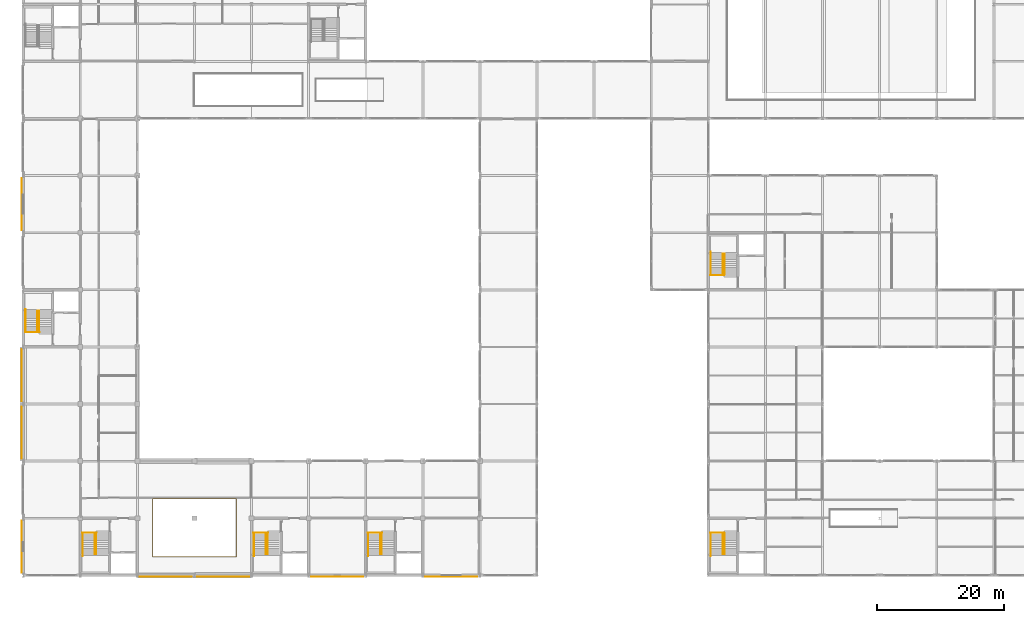
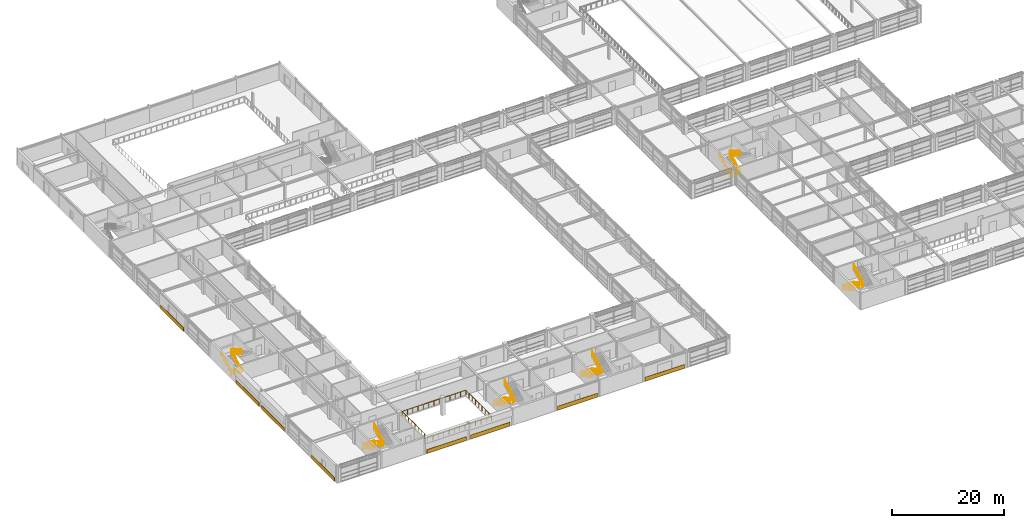
# One storey, part 77 of 79: 19 railings, 8 coverings.
"""IFC4 building model written with IfcOpenShell, lengths in metres."""

from ifc_helpers import new_model, si_unit, direction, frame, origin, origin_2d, place, context, subcontext, project, spatial, rectangle, circle, extrude, material, layer, layer_set, type_object, element, save


model = new_model("IFC4")

# Units and contexts
model_context = context("Model", 3, precision=1e-05, world=origin(), true_north=direction((0.0, 1.0)))
body_context = subcontext(model_context, "Body", "Model", "MODEL_VIEW")
ifc_project = project(units=[si_unit("LENGTHUNIT", "METRE"), si_unit("AREAUNIT", "SQUARE_METRE"), si_unit("VOLUMEUNIT", "CUBIC_METRE"), si_unit("PLANEANGLEUNIT", "RADIAN"), si_unit("MASSUNIT", "GRAM", prefix="KILO")], contexts=[model_context])

# Site, building, storey
site_placement = place(None, origin())
site = spatial("IfcSite", under=ifc_project, at=site_placement, CompositionType="ELEMENT")
building_placement = place(site_placement, origin())
building = spatial("IfcBuilding", under=site, at=building_placement, Name="Palais des Congres Ocreval", CompositionType="ELEMENT")
storey_placement = place(building_placement, frame((0.0, 0.0, 4.320068359375)))
storey = spatial("IfcBuildingStorey", under=building, at=storey_placement, Name="L01", CompositionType="ELEMENT", Elevation=4.320068359375)

# Railings
ifc_material_1 = material(Name="Anodized bronze aluminium", Category="aluminium")
railing_type_1 = type_object("IfcRailingType", Name="Bronze Stair and Ramp Handrail 900", PredefinedType="HANDRAIL", material=ifc_material_1)
for number, where, name in (
    (1, (9.3798828125, 6.64990234375, 0.159912109375), "Stair Wall Handrail ST01 L01"),
    (2, (36.3798828125, 6.64990234375, 0.159912109375), "Stair Wall Handrail ST02 L01"),
):
    element("IfcRailing", number, at=place(storey_placement, frame(where)), inside=storey, type_object=railing_type_1, Name=name, PredefinedType="HANDRAIL", context=body_context, shape_type="SweptSolid", body=[
        extrude(circle(Radius=0.02392578125, at=origin_2d()), frame((0.0, 0.0, 0.8759765625), z_axis=(0.0, -0.882352941176, 0.470588235294), x_axis=(1.0, 0.0, 0.0)), (0.0, 0.0, 1.0), 4.079833984375),
        extrude(circle(Radius=0.02099609375, at=origin_2d()), origin(), (0.0, 0.0, 1.0), 0.851806640625),
        extrude(circle(Radius=0.02099609375, at=origin_2d()), frame((0.0, -0.89990234375, 0.47998046875)), (0.0, 0.0, 1.0), 0.851806640625),
        extrude(circle(Radius=0.02099609375, at=origin_2d()), frame((0.0, -1.7998046875, 0.9599609375)), (0.0, 0.0, 1.0), 0.851806640625),
        extrude(circle(Radius=0.02099609375, at=origin_2d()), frame((0.0, -2.699951171875, 1.43994140625)), (0.0, 0.0, 1.0), 0.851806640625),
        extrude(circle(Radius=0.02099609375, at=origin_2d()), frame((0.0, -3.599853515625, 1.919921875)), (0.0, 0.0, 1.0), 0.851806640625),
    ])
railing_1_placement = place(storey_placement, frame((0.3798828125, 38.35009765625, 0.159912109375)))
element("IfcRailing", 3, at=railing_1_placement, inside=storey, type_object=railing_type_1, Name="Stair Wall Handrail ST03 L01", PredefinedType="HANDRAIL", context=body_context, shape_type="SweptSolid", body=[
    extrude(circle(Radius=0.02392578125, at=origin_2d()), frame((0.0, 0.0, 0.8759765625), z_axis=(0.0, 0.882352941176, 0.470588235294), x_axis=(-1.0, 0.0, 0.0)), (0.0, 0.0, 1.0), 4.079833984375),
    extrude(circle(Radius=0.02099609375, at=origin_2d()), origin(), (0.0, 0.0, 1.0), 0.851806640625),
    extrude(circle(Radius=0.02099609375, at=origin_2d()), frame((0.0, 0.89990234375, 0.47998046875)), (0.0, 0.0, 1.0), 0.851806640625),
    extrude(circle(Radius=0.02099609375, at=origin_2d()), frame((0.0, 1.7998046875, 0.9599609375)), (0.0, 0.0, 1.0), 0.851806640625),
    extrude(circle(Radius=0.02099609375, at=origin_2d()), frame((0.0, 2.699951171875, 1.43994140625)), (0.0, 0.0, 1.0), 0.851806640625),
    extrude(circle(Radius=0.02099609375, at=origin_2d()), frame((0.0, 3.599853515625, 1.919921875)), (0.0, 0.0, 1.0), 0.851806640625),
])
for number, where, name in (
    (4, (54.3798828125, 6.64990234375, 0.159912109375), "Stair Wall Handrail ST04 L01"),
    (5, (108.3798828125, 6.64990234375, 0.159912109375), "Stair Wall Handrail ST09 L01"),
):
    element("IfcRailing", number, at=place(storey_placement, frame(where)), inside=storey, type_object=railing_type_1, Name=name, PredefinedType="HANDRAIL", context=body_context, shape_type="SweptSolid", body=[
        extrude(circle(Radius=0.02392578125, at=origin_2d()), frame((0.0, 0.0, 0.8759765625), z_axis=(0.0, -0.882352941176, 0.470588235294), x_axis=(1.0, 0.0, 0.0)), (0.0, 0.0, 1.0), 4.079833984375),
        extrude(circle(Radius=0.02099609375, at=origin_2d()), origin(), (0.0, 0.0, 1.0), 0.851806640625),
        extrude(circle(Radius=0.02099609375, at=origin_2d()), frame((0.0, -0.89990234375, 0.47998046875)), (0.0, 0.0, 1.0), 0.851806640625),
        extrude(circle(Radius=0.02099609375, at=origin_2d()), frame((0.0, -1.7998046875, 0.9599609375)), (0.0, 0.0, 1.0), 0.851806640625),
        extrude(circle(Radius=0.02099609375, at=origin_2d()), frame((0.0, -2.699951171875, 1.43994140625)), (0.0, 0.0, 1.0), 0.851806640625),
        extrude(circle(Radius=0.02099609375, at=origin_2d()), frame((0.0, -3.599853515625, 1.919921875)), (0.0, 0.0, 1.0), 0.851806640625),
    ])
railing_2_placement = place(storey_placement, frame((108.3798828125, 47.35009765625, 0.159912109375)))
element("IfcRailing", 6, at=railing_2_placement, inside=storey, type_object=railing_type_1, Name="Stair Wall Handrail ST10 L01", PredefinedType="HANDRAIL", context=body_context, shape_type="SweptSolid", body=[
    extrude(circle(Radius=0.02392578125, at=origin_2d()), frame((0.0, 0.0, 0.8759765625), z_axis=(0.0, 0.882352941176, 0.470588235294), x_axis=(-1.0, 0.0, 0.0)), (0.0, 0.0, 1.0), 4.079833984375),
    extrude(circle(Radius=0.02099609375, at=origin_2d()), origin(), (0.0, 0.0, 1.0), 0.851806640625),
    extrude(circle(Radius=0.02099609375, at=origin_2d()), frame((0.0, 0.89990234375, 0.47998046875)), (0.0, 0.0, 1.0), 0.851806640625),
    extrude(circle(Radius=0.02099609375, at=origin_2d()), frame((0.0, 1.7998046875, 0.9599609375)), (0.0, 0.0, 1.0), 0.851806640625),
    extrude(circle(Radius=0.02099609375, at=origin_2d()), frame((0.0, 2.699951171875, 1.43994140625)), (0.0, 0.0, 1.0), 0.851806640625),
    extrude(circle(Radius=0.02099609375, at=origin_2d()), frame((0.0, 3.599853515625, 1.919921875)), (0.0, 0.0, 1.0), 0.851806640625),
])

# Coverings
ifc_material_2 = material(Name="Saint-Maximin Lutetian limestone ashlar", Category="masonry")
ifc_layer = layer(ifc_material_2, 0.050048828125)
ifc_layer_set = layer_set([ifc_layer], Name="Saint-Maximin Limestone Facade Cladding 50 (Saint-Maximin Lutetian limestone ashlar)")
covering_type = type_object("IfcCoveringType", Name="Saint-Maximin Limestone Facade Cladding 50", PredefinedType="CLADDING", material=ifc_layer_set)
for number, where, z_axis, x_axis, name in (
    (7, (67.5, -0.215087890625, 0.02490234375), (0.0, 0.0, 1.0), (-1.0, 0.0, 0.0), "Lutetian Limestone Plinth Cladding CV02"),
    (8, (49.5, -0.215087890625, 0.02490234375), (0.0, 0.0, 1.0), (-1.0, 0.0, 0.0), "Lutetian Limestone Plinth Cladding CV02"),
    (9, (31.5, -0.215087890625, 0.02490234375), (0.0, 0.0, 1.0), (-1.0, 0.0, 0.0), "Lutetian Limestone Plinth Cladding CV02"),
    (10, (22.5, -0.215087890625, 0.02490234375), (0.0, 0.0, 1.0), (-1.0, 0.0, 0.0), "Lutetian Limestone Plinth Cladding CV02"),
    (11, (-0.215087890625, 4.5, 0.02490234375), (0.0, 0.0, 1.0), (0.0, 1.0, 0.0), "Lutetian Limestone Plinth Cladding CV02"),
    (12, (-0.215087890625, 22.5, 0.02490234375), (0.0, 0.0, 1.0), (0.0, 1.0, 0.0), "Lutetian Limestone Plinth Cladding CV02"),
    (13, (-0.215087890625, 31.5, 0.02490234375), (0.0, 0.0, 1.0), (0.0, 1.0, 0.0), "Lutetian Limestone Plinth Cladding CV02"),
    (14, (-0.215087890625, 58.5, 0.02490234375), (0.0, 0.0, 1.0), (0.0, 1.0, 0.0), "Lutetian Limestone Plinth Cladding CV02"),
):
    element("IfcCovering", number, at=place(storey_placement, frame(where, z_axis=z_axis, x_axis=x_axis)), inside=storey, type_object=covering_type, Name=name, PredefinedType="CLADDING", context=body_context, shape_type="SweptSolid", body=[
        extrude(rectangle(XDim=8.199951171875, YDim=0.050048828125, at=origin_2d()), origin(), (0.0, 0.0, 1.0), 0.85009765625),
    ])

# Railings
ifc_material_3 = material(Name="Steel S355", Category="steel")
railing_type_2 = type_object("IfcRailingType", Name="Stairwell Steel Guardrail 1100", PredefinedType="GUARDRAIL", material=ifc_material_3)
railing_3_placement = place(storey_placement, frame((9.320068359375, 6.699951171875, 0.0)))
element("IfcRailing", 15, at=railing_3_placement, inside=storey, type_object=railing_type_2, Name="Stairwell Landing Edge Guard ST01 L01", PredefinedType="GUARDRAIL", context=body_context, shape_type="SweptSolid", body=[
    extrude(circle(Radius=0.02392578125, at=origin_2d()), frame((0.0, 0.0, 1.076171875), z_axis=(1.0, 0.0, 0.0), x_axis=(0.0, 1.0, 0.0)), (0.0, 0.0, 1.0), 2.25),
    extrude(circle(Radius=0.02099609375, at=origin_2d()), origin(), (0.0, 0.0, 1.0), 1.052001953125),
    extrude(circle(Radius=0.02099609375, at=origin_2d()), frame((0.75, 0.0, 0.0)), (0.0, 0.0, 1.0), 1.052001953125),
    extrude(circle(Radius=0.02099609375, at=origin_2d()), frame((1.5, 0.0, 0.0)), (0.0, 0.0, 1.0), 1.052001953125),
    extrude(circle(Radius=0.02099609375, at=origin_2d()), frame((2.25, 0.0, 0.0)), (0.0, 0.0, 1.0), 1.052001953125),
])
railing_4_placement = place(storey_placement, frame((11.280029296875, 6.64990234375, 0.0)))
element("IfcRailing", 16, at=railing_4_placement, inside=storey, type_object=railing_type_2, Name="Stair Inner Guardrail ST01 L01", PredefinedType="GUARDRAIL", context=body_context, shape_type="SweptSolid", body=[
    extrude(circle(Radius=0.02392578125, at=origin_2d()), frame((0.0, 0.0, 1.076171875), z_axis=(0.0, -0.86434429443, 0.502900527626), x_axis=(1.0, 0.0, 0.0)), (0.0, 0.0, 1.0), 3.817626953125),
    extrude(circle(Radius=0.02392578125, at=origin_2d()), frame((0.0, -3.2998046875, 2.99609375), z_axis=(1.0, 0.0, 0.0), x_axis=(0.0, 1.0, 0.0)), (0.0, 0.0, 1.0), 0.239990234375),
    extrude(circle(Radius=0.02392578125, at=origin_2d()), frame((0.239990234375, -3.2998046875, 2.99609375), z_axis=(0.0, 0.86434429443, 0.502900527626), x_axis=(-1.0, 0.0, 0.0)), (0.0, 0.0, 1.0), 3.817626953125),
    extrude(circle(Radius=0.02099609375, at=origin_2d()), origin(), (0.0, 0.0, 1.0), 1.052001953125),
    extrude(circle(Radius=0.02099609375, at=origin_2d()), frame((0.0, -0.824951171875, 0.47998046875)), (0.0, 0.0, 1.0), 1.052001953125),
    extrude(circle(Radius=0.02099609375, at=origin_2d()), frame((0.0, -1.64990234375, 0.9599609375)), (0.0, 0.0, 1.0), 1.052001953125),
    extrude(circle(Radius=0.02099609375, at=origin_2d()), frame((0.0, -2.474853515625, 1.43994140625)), (0.0, 0.0, 1.0), 1.052001953125),
    extrude(circle(Radius=0.02099609375, at=origin_2d()), frame((0.0, -3.2998046875, 1.919921875)), (0.0, 0.0, 1.0), 1.052001953125),
    extrude(circle(Radius=0.02099609375, at=origin_2d()), frame((0.239990234375, -3.2998046875, 1.919921875)), (0.0, 0.0, 1.0), 1.052001953125),
    extrude(circle(Radius=0.02099609375, at=origin_2d()), frame((0.239990234375, -2.474853515625, 2.39990234375)), (0.0, 0.0, 1.0), 1.052001953125),
    extrude(circle(Radius=0.02099609375, at=origin_2d()), frame((0.239990234375, -1.64990234375, 2.8798828125)), (0.0, 0.0, 1.0), 1.052001953125),
    extrude(circle(Radius=0.02099609375, at=origin_2d()), frame((0.239990234375, -0.824951171875, 3.35986328125)), (0.0, 0.0, 1.0), 1.052001953125),
    extrude(circle(Radius=0.02099609375, at=origin_2d()), frame((0.239990234375, 0.0, 3.83984375)), (0.0, 0.0, 1.0), 1.052001953125),
])
railing_5_placement = place(storey_placement, frame((36.320068359375, 6.699951171875, 0.0)))
element("IfcRailing", 17, at=railing_5_placement, inside=storey, type_object=railing_type_2, Name="Stairwell Landing Edge Guard ST02 L01", PredefinedType="GUARDRAIL", context=body_context, shape_type="SweptSolid", body=[
    extrude(circle(Radius=0.02392578125, at=origin_2d()), frame((0.0, 0.0, 1.076171875), z_axis=(1.0, 0.0, 0.0), x_axis=(0.0, 1.0, 0.0)), (0.0, 0.0, 1.0), 2.25),
    extrude(circle(Radius=0.02099609375, at=origin_2d()), origin(), (0.0, 0.0, 1.0), 1.052001953125),
    extrude(circle(Radius=0.02099609375, at=origin_2d()), frame((0.75, 0.0, 0.0)), (0.0, 0.0, 1.0), 1.052001953125),
    extrude(circle(Radius=0.02099609375, at=origin_2d()), frame((1.5, 0.0, 0.0)), (0.0, 0.0, 1.0), 1.052001953125),
    extrude(circle(Radius=0.02099609375, at=origin_2d()), frame((2.25, 0.0, 0.0)), (0.0, 0.0, 1.0), 1.052001953125),
])
railing_6_placement = place(storey_placement, frame((38.280029296875, 6.64990234375, 0.0)))
element("IfcRailing", 18, at=railing_6_placement, inside=storey, type_object=railing_type_2, Name="Stair Inner Guardrail ST02 L01", PredefinedType="GUARDRAIL", context=body_context, shape_type="SweptSolid", body=[
    extrude(circle(Radius=0.02392578125, at=origin_2d()), frame((0.0, 0.0, 1.076171875), z_axis=(0.0, -0.86434429443, 0.502900527626), x_axis=(1.0, 0.0, 0.0)), (0.0, 0.0, 1.0), 3.817626953125),
    extrude(circle(Radius=0.02392578125, at=origin_2d()), frame((0.0, -3.2998046875, 2.99609375), z_axis=(1.0, 0.0, 0.0), x_axis=(0.0, 1.0, 0.0)), (0.0, 0.0, 1.0), 0.239990234375),
    extrude(circle(Radius=0.02392578125, at=origin_2d()), frame((0.239990234375, -3.2998046875, 2.99609375), z_axis=(0.0, 0.86434429443, 0.502900527626), x_axis=(-1.0, 0.0, 0.0)), (0.0, 0.0, 1.0), 3.817626953125),
    extrude(circle(Radius=0.02099609375, at=origin_2d()), origin(), (0.0, 0.0, 1.0), 1.052001953125),
    extrude(circle(Radius=0.02099609375, at=origin_2d()), frame((0.0, -0.824951171875, 0.47998046875)), (0.0, 0.0, 1.0), 1.052001953125),
    extrude(circle(Radius=0.02099609375, at=origin_2d()), frame((0.0, -1.64990234375, 0.9599609375)), (0.0, 0.0, 1.0), 1.052001953125),
    extrude(circle(Radius=0.02099609375, at=origin_2d()), frame((0.0, -2.474853515625, 1.43994140625)), (0.0, 0.0, 1.0), 1.052001953125),
    extrude(circle(Radius=0.02099609375, at=origin_2d()), frame((0.0, -3.2998046875, 1.919921875)), (0.0, 0.0, 1.0), 1.052001953125),
    extrude(circle(Radius=0.02099609375, at=origin_2d()), frame((0.239990234375, -3.2998046875, 1.919921875)), (0.0, 0.0, 1.0), 1.052001953125),
    extrude(circle(Radius=0.02099609375, at=origin_2d()), frame((0.239990234375, -2.474853515625, 2.39990234375)), (0.0, 0.0, 1.0), 1.052001953125),
    extrude(circle(Radius=0.02099609375, at=origin_2d()), frame((0.239990234375, -1.64990234375, 2.8798828125)), (0.0, 0.0, 1.0), 1.052001953125),
    extrude(circle(Radius=0.02099609375, at=origin_2d()), frame((0.239990234375, -0.824951171875, 3.35986328125)), (0.0, 0.0, 1.0), 1.052001953125),
    extrude(circle(Radius=0.02099609375, at=origin_2d()), frame((0.239990234375, 0.0, 3.83984375)), (0.0, 0.0, 1.0), 1.052001953125),
])
railing_7_placement = place(storey_placement, frame((0.320068359375, 38.300048828125, 0.0)))
element("IfcRailing", 19, at=railing_7_placement, inside=storey, type_object=railing_type_2, Name="Stairwell Landing Edge Guard ST03 L01", PredefinedType="GUARDRAIL", context=body_context, shape_type="SweptSolid", body=[
    extrude(circle(Radius=0.02392578125, at=origin_2d()), frame((0.0, 0.0, 1.076171875), z_axis=(1.0, 0.0, 0.0), x_axis=(0.0, 1.0, 0.0)), (0.0, 0.0, 1.0), 2.25),
    extrude(circle(Radius=0.02099609375, at=origin_2d()), origin(), (0.0, 0.0, 1.0), 1.052001953125),
    extrude(circle(Radius=0.02099609375, at=origin_2d()), frame((0.75, 0.0, 0.0)), (0.0, 0.0, 1.0), 1.052001953125),
    extrude(circle(Radius=0.02099609375, at=origin_2d()), frame((1.5, 0.0, 0.0)), (0.0, 0.0, 1.0), 1.052001953125),
    extrude(circle(Radius=0.02099609375, at=origin_2d()), frame((2.25, 0.0, 0.0)), (0.0, 0.0, 1.0), 1.052001953125),
])
railing_8_placement = place(storey_placement, frame((2.280029296875, 38.35009765625, 0.0)))
element("IfcRailing", 20, at=railing_8_placement, inside=storey, type_object=railing_type_2, Name="Stair Inner Guardrail ST03 L01", PredefinedType="GUARDRAIL", context=body_context, shape_type="SweptSolid", body=[
    extrude(circle(Radius=0.02392578125, at=origin_2d()), frame((0.0, 0.0, 1.076171875), z_axis=(0.0, 0.86434429443, 0.502900527626), x_axis=(-1.0, 0.0, 0.0)), (0.0, 0.0, 1.0), 3.817626953125),
    extrude(circle(Radius=0.02392578125, at=origin_2d()), frame((0.0, 3.2998046875, 2.99609375), z_axis=(1.0, 0.0, 0.0), x_axis=(0.0, 1.0, 0.0)), (0.0, 0.0, 1.0), 0.239990234375),
    extrude(circle(Radius=0.02392578125, at=origin_2d()), frame((0.239990234375, 3.2998046875, 2.99609375), z_axis=(0.0, -0.86434429443, 0.502900527626), x_axis=(1.0, 0.0, 0.0)), (0.0, 0.0, 1.0), 3.817626953125),
    extrude(circle(Radius=0.02099609375, at=origin_2d()), origin(), (0.0, 0.0, 1.0), 1.052001953125),
    extrude(circle(Radius=0.02099609375, at=origin_2d()), frame((0.0, 0.824951171875, 0.47998046875)), (0.0, 0.0, 1.0), 1.052001953125),
    extrude(circle(Radius=0.02099609375, at=origin_2d()), frame((0.0, 1.64990234375, 0.9599609375)), (0.0, 0.0, 1.0), 1.052001953125),
    extrude(circle(Radius=0.02099609375, at=origin_2d()), frame((0.0, 2.474853515625, 1.43994140625)), (0.0, 0.0, 1.0), 1.052001953125),
    extrude(circle(Radius=0.02099609375, at=origin_2d()), frame((0.0, 3.2998046875, 1.919921875)), (0.0, 0.0, 1.0), 1.052001953125),
    extrude(circle(Radius=0.02099609375, at=origin_2d()), frame((0.239990234375, 3.2998046875, 1.919921875)), (0.0, 0.0, 1.0), 1.052001953125),
    extrude(circle(Radius=0.02099609375, at=origin_2d()), frame((0.239990234375, 2.474853515625, 2.39990234375)), (0.0, 0.0, 1.0), 1.052001953125),
    extrude(circle(Radius=0.02099609375, at=origin_2d()), frame((0.239990234375, 1.64990234375, 2.8798828125)), (0.0, 0.0, 1.0), 1.052001953125),
    extrude(circle(Radius=0.02099609375, at=origin_2d()), frame((0.239990234375, 0.824951171875, 3.35986328125)), (0.0, 0.0, 1.0), 1.052001953125),
    extrude(circle(Radius=0.02099609375, at=origin_2d()), frame((0.239990234375, 0.0, 3.83984375)), (0.0, 0.0, 1.0), 1.052001953125),
])
railing_9_placement = place(storey_placement, frame((54.320068359375, 6.699951171875, 0.0)))
element("IfcRailing", 21, at=railing_9_placement, inside=storey, type_object=railing_type_2, Name="Stairwell Landing Edge Guard ST04 L01", PredefinedType="GUARDRAIL", context=body_context, shape_type="SweptSolid", body=[
    extrude(circle(Radius=0.02392578125, at=origin_2d()), frame((0.0, 0.0, 1.076171875), z_axis=(1.0, 0.0, 0.0), x_axis=(0.0, 1.0, 0.0)), (0.0, 0.0, 1.0), 2.25),
    extrude(circle(Radius=0.02099609375, at=origin_2d()), origin(), (0.0, 0.0, 1.0), 1.052001953125),
    extrude(circle(Radius=0.02099609375, at=origin_2d()), frame((0.75, 0.0, 0.0)), (0.0, 0.0, 1.0), 1.052001953125),
    extrude(circle(Radius=0.02099609375, at=origin_2d()), frame((1.5, 0.0, 0.0)), (0.0, 0.0, 1.0), 1.052001953125),
    extrude(circle(Radius=0.02099609375, at=origin_2d()), frame((2.25, 0.0, 0.0)), (0.0, 0.0, 1.0), 1.052001953125),
])
railing_10_placement = place(storey_placement, frame((56.280029296875, 6.64990234375, 0.0)))
element("IfcRailing", 22, at=railing_10_placement, inside=storey, type_object=railing_type_2, Name="Stair Inner Guardrail ST04 L01", PredefinedType="GUARDRAIL", context=body_context, shape_type="SweptSolid", body=[
    extrude(circle(Radius=0.02392578125, at=origin_2d()), frame((0.0, 0.0, 1.076171875), z_axis=(0.0, -0.86434429443, 0.502900527626), x_axis=(1.0, 0.0, 0.0)), (0.0, 0.0, 1.0), 3.817626953125),
    extrude(circle(Radius=0.02392578125, at=origin_2d()), frame((0.0, -3.2998046875, 2.99609375), z_axis=(1.0, 0.0, 0.0), x_axis=(0.0, 1.0, 0.0)), (0.0, 0.0, 1.0), 0.239990234375),
    extrude(circle(Radius=0.02392578125, at=origin_2d()), frame((0.239990234375, -3.2998046875, 2.99609375), z_axis=(0.0, 0.86434429443, 0.502900527626), x_axis=(-1.0, 0.0, 0.0)), (0.0, 0.0, 1.0), 3.817626953125),
    extrude(circle(Radius=0.02099609375, at=origin_2d()), origin(), (0.0, 0.0, 1.0), 1.052001953125),
    extrude(circle(Radius=0.02099609375, at=origin_2d()), frame((0.0, -0.824951171875, 0.47998046875)), (0.0, 0.0, 1.0), 1.052001953125),
    extrude(circle(Radius=0.02099609375, at=origin_2d()), frame((0.0, -1.64990234375, 0.9599609375)), (0.0, 0.0, 1.0), 1.052001953125),
    extrude(circle(Radius=0.02099609375, at=origin_2d()), frame((0.0, -2.474853515625, 1.43994140625)), (0.0, 0.0, 1.0), 1.052001953125),
    extrude(circle(Radius=0.02099609375, at=origin_2d()), frame((0.0, -3.2998046875, 1.919921875)), (0.0, 0.0, 1.0), 1.052001953125),
    extrude(circle(Radius=0.02099609375, at=origin_2d()), frame((0.239990234375, -3.2998046875, 1.919921875)), (0.0, 0.0, 1.0), 1.052001953125),
    extrude(circle(Radius=0.02099609375, at=origin_2d()), frame((0.239990234375, -2.474853515625, 2.39990234375)), (0.0, 0.0, 1.0), 1.052001953125),
    extrude(circle(Radius=0.02099609375, at=origin_2d()), frame((0.239990234375, -1.64990234375, 2.8798828125)), (0.0, 0.0, 1.0), 1.052001953125),
    extrude(circle(Radius=0.02099609375, at=origin_2d()), frame((0.239990234375, -0.824951171875, 3.35986328125)), (0.0, 0.0, 1.0), 1.052001953125),
    extrude(circle(Radius=0.02099609375, at=origin_2d()), frame((0.239990234375, 0.0, 3.83984375)), (0.0, 0.0, 1.0), 1.052001953125),
])
railing_11_placement = place(storey_placement, frame((108.320068359375, 6.699951171875, 0.0)))
element("IfcRailing", 23, at=railing_11_placement, inside=storey, type_object=railing_type_2, Name="Stairwell Landing Edge Guard ST09 L01", PredefinedType="GUARDRAIL", context=body_context, shape_type="SweptSolid", body=[
    extrude(circle(Radius=0.02392578125, at=origin_2d()), frame((0.0, 0.0, 1.076171875), z_axis=(1.0, 0.0, 0.0), x_axis=(0.0, 1.0, 0.0)), (0.0, 0.0, 1.0), 2.199951171875),
    extrude(circle(Radius=0.02099609375, at=origin_2d()), origin(), (0.0, 0.0, 1.0), 1.052001953125),
    extrude(circle(Radius=0.02099609375, at=origin_2d()), frame((0.7333984375, 0.0, 0.0)), (0.0, 0.0, 1.0), 1.052001953125),
    extrude(circle(Radius=0.02099609375, at=origin_2d()), frame((1.466552734375, 0.0, 0.0)), (0.0, 0.0, 1.0), 1.052001953125),
    extrude(circle(Radius=0.02099609375, at=origin_2d()), frame((2.199951171875, 0.0, 0.0)), (0.0, 0.0, 1.0), 1.052001953125),
])
railing_12_placement = place(storey_placement, frame((110.280029296875, 6.64990234375, 0.0)))
element("IfcRailing", 24, at=railing_12_placement, inside=storey, type_object=railing_type_2, Name="Stair Inner Guardrail ST09 L01", PredefinedType="GUARDRAIL", context=body_context, shape_type="SweptSolid", body=[
    extrude(circle(Radius=0.02392578125, at=origin_2d()), frame((0.0, 0.0, 1.076171875), z_axis=(0.0, -0.86434429443, 0.502900527626), x_axis=(1.0, 0.0, 0.0)), (0.0, 0.0, 1.0), 3.817626953125),
    extrude(circle(Radius=0.02392578125, at=origin_2d()), frame((0.0, -3.2998046875, 2.99609375), z_axis=(1.0, 0.0, 0.0), x_axis=(0.0, 1.0, 0.0)), (0.0, 0.0, 1.0), 0.239990234375),
    extrude(circle(Radius=0.02392578125, at=origin_2d()), frame((0.239990234375, -3.2998046875, 2.99609375), z_axis=(0.0, 0.86434429443, 0.502900527626), x_axis=(-1.0, 0.0, 0.0)), (0.0, 0.0, 1.0), 3.817626953125),
    extrude(circle(Radius=0.02099609375, at=origin_2d()), origin(), (0.0, 0.0, 1.0), 1.052001953125),
    extrude(circle(Radius=0.02099609375, at=origin_2d()), frame((0.0, -0.824951171875, 0.47998046875)), (0.0, 0.0, 1.0), 1.052001953125),
    extrude(circle(Radius=0.02099609375, at=origin_2d()), frame((0.0, -1.64990234375, 0.9599609375)), (0.0, 0.0, 1.0), 1.052001953125),
    extrude(circle(Radius=0.02099609375, at=origin_2d()), frame((0.0, -2.474853515625, 1.43994140625)), (0.0, 0.0, 1.0), 1.052001953125),
    extrude(circle(Radius=0.02099609375, at=origin_2d()), frame((0.0, -3.2998046875, 1.919921875)), (0.0, 0.0, 1.0), 1.052001953125),
    extrude(circle(Radius=0.02099609375, at=origin_2d()), frame((0.239990234375, -3.2998046875, 1.919921875)), (0.0, 0.0, 1.0), 1.052001953125),
    extrude(circle(Radius=0.02099609375, at=origin_2d()), frame((0.239990234375, -2.474853515625, 2.39990234375)), (0.0, 0.0, 1.0), 1.052001953125),
    extrude(circle(Radius=0.02099609375, at=origin_2d()), frame((0.239990234375, -1.64990234375, 2.8798828125)), (0.0, 0.0, 1.0), 1.052001953125),
    extrude(circle(Radius=0.02099609375, at=origin_2d()), frame((0.239990234375, -0.824951171875, 3.35986328125)), (0.0, 0.0, 1.0), 1.052001953125),
    extrude(circle(Radius=0.02099609375, at=origin_2d()), frame((0.239990234375, 0.0, 3.83984375)), (0.0, 0.0, 1.0), 1.052001953125),
])
railing_13_placement = place(storey_placement, frame((108.320068359375, 47.300048828125, 0.0)))
element("IfcRailing", 25, at=railing_13_placement, inside=storey, type_object=railing_type_2, Name="Stairwell Landing Edge Guard ST10 L01", PredefinedType="GUARDRAIL", context=body_context, shape_type="SweptSolid", body=[
    extrude(circle(Radius=0.02392578125, at=origin_2d()), frame((0.0, 0.0, 1.076171875), z_axis=(1.0, 0.0, 0.0), x_axis=(0.0, 1.0, 0.0)), (0.0, 0.0, 1.0), 2.199951171875),
    extrude(circle(Radius=0.02099609375, at=origin_2d()), origin(), (0.0, 0.0, 1.0), 1.052001953125),
    extrude(circle(Radius=0.02099609375, at=origin_2d()), frame((0.7333984375, 0.0, 0.0)), (0.0, 0.0, 1.0), 1.052001953125),
    extrude(circle(Radius=0.02099609375, at=origin_2d()), frame((1.466552734375, 0.0, 0.0)), (0.0, 0.0, 1.0), 1.052001953125),
    extrude(circle(Radius=0.02099609375, at=origin_2d()), frame((2.199951171875, 0.0, 0.0)), (0.0, 0.0, 1.0), 1.052001953125),
])
railing_14_placement = place(storey_placement, frame((110.280029296875, 47.35009765625, 0.0)))
element("IfcRailing", 26, at=railing_14_placement, inside=storey, type_object=railing_type_2, Name="Stair Inner Guardrail ST10 L01", PredefinedType="GUARDRAIL", context=body_context, shape_type="SweptSolid", body=[
    extrude(circle(Radius=0.02392578125, at=origin_2d()), frame((0.0, 0.0, 1.076171875), z_axis=(0.0, 0.86434429443, 0.502900527626), x_axis=(-1.0, 0.0, 0.0)), (0.0, 0.0, 1.0), 3.817626953125),
    extrude(circle(Radius=0.02392578125, at=origin_2d()), frame((0.0, 3.2998046875, 2.99609375), z_axis=(1.0, 0.0, 0.0), x_axis=(0.0, 1.0, 0.0)), (0.0, 0.0, 1.0), 0.239990234375),
    extrude(circle(Radius=0.02392578125, at=origin_2d()), frame((0.239990234375, 3.2998046875, 2.99609375), z_axis=(0.0, -0.86434429443, 0.502900527626), x_axis=(1.0, 0.0, 0.0)), (0.0, 0.0, 1.0), 3.817626953125),
    extrude(circle(Radius=0.02099609375, at=origin_2d()), origin(), (0.0, 0.0, 1.0), 1.052001953125),
    extrude(circle(Radius=0.02099609375, at=origin_2d()), frame((0.0, 0.824951171875, 0.47998046875)), (0.0, 0.0, 1.0), 1.052001953125),
    extrude(circle(Radius=0.02099609375, at=origin_2d()), frame((0.0, 1.64990234375, 0.9599609375)), (0.0, 0.0, 1.0), 1.052001953125),
    extrude(circle(Radius=0.02099609375, at=origin_2d()), frame((0.0, 2.474853515625, 1.43994140625)), (0.0, 0.0, 1.0), 1.052001953125),
    extrude(circle(Radius=0.02099609375, at=origin_2d()), frame((0.0, 3.2998046875, 1.919921875)), (0.0, 0.0, 1.0), 1.052001953125),
    extrude(circle(Radius=0.02099609375, at=origin_2d()), frame((0.239990234375, 3.2998046875, 1.919921875)), (0.0, 0.0, 1.0), 1.052001953125),
    extrude(circle(Radius=0.02099609375, at=origin_2d()), frame((0.239990234375, 2.474853515625, 2.39990234375)), (0.0, 0.0, 1.0), 1.052001953125),
    extrude(circle(Radius=0.02099609375, at=origin_2d()), frame((0.239990234375, 1.64990234375, 2.8798828125)), (0.0, 0.0, 1.0), 1.052001953125),
    extrude(circle(Radius=0.02099609375, at=origin_2d()), frame((0.239990234375, 0.824951171875, 3.35986328125)), (0.0, 0.0, 1.0), 1.052001953125),
    extrude(circle(Radius=0.02099609375, at=origin_2d()), frame((0.239990234375, 0.0, 3.83984375)), (0.0, 0.0, 1.0), 1.052001953125),
])
railing_type_3 = type_object("IfcRailingType", Name="Terrace Bronze Balustrade 1100", PredefinedType="BALUSTRADE", material=ifc_material_1)
railing_15_placement = place(storey_placement, frame((20.419921875, 2.919921875, 0.0)))
element("IfcRailing", 27, at=railing_15_placement, inside=storey, type_object=railing_type_3, Name="Atrium Void Guard Balustrade VOID-L01-LOBBY", PredefinedType="BALUSTRADE", context=body_context, shape_type="SweptSolid", body=[
    extrude(circle(Radius=0.02392578125, at=origin_2d()), frame((0.0, 0.0, 1.076171875), z_axis=(1.0, 0.0, 0.0), x_axis=(0.0, 1.0, 0.0)), (0.0, 0.0, 1.0), 13.16015625),
    extrude(circle(Radius=0.02392578125, at=origin_2d()), frame((13.16015625, 0.0, 1.076171875), z_axis=(0.0, 1.0, 0.0), x_axis=(-1.0, 0.0, 0.0)), (0.0, 0.0, 1.0), 9.16015625),
    extrude(circle(Radius=0.02392578125, at=origin_2d()), frame((13.16015625, 9.16015625, 1.076171875), z_axis=(-1.0, 0.0, 0.0), x_axis=(0.0, -1.0, 0.0)), (0.0, 0.0, 1.0), 13.16015625),
    extrude(circle(Radius=0.02392578125, at=origin_2d()), frame((0.0, 9.16015625, 1.076171875), z_axis=(0.0, -1.0, 0.0), x_axis=(1.0, 0.0, 0.0)), (0.0, 0.0, 1.0), 9.16015625),
    extrude(circle(Radius=0.02099609375, at=origin_2d()), origin(), (0.0, 0.0, 1.0), 1.052001953125),
    extrude(circle(Radius=0.02099609375, at=origin_2d()), frame((1.0966796875, 0.0, 0.0)), (0.0, 0.0, 1.0), 1.052001953125),
    extrude(circle(Radius=0.02099609375, at=origin_2d()), frame((2.193359375, 0.0, 0.0)), (0.0, 0.0, 1.0), 1.052001953125),
    extrude(circle(Radius=0.02099609375, at=origin_2d()), frame((3.2900390625, 0.0, 0.0)), (0.0, 0.0, 1.0), 1.052001953125),
    extrude(circle(Radius=0.02099609375, at=origin_2d()), frame((4.38671875, 0.0, 0.0)), (0.0, 0.0, 1.0), 1.052001953125),
    extrude(circle(Radius=0.02099609375, at=origin_2d()), frame((5.4833984375, 0.0, 0.0)), (0.0, 0.0, 1.0), 1.052001953125),
    extrude(circle(Radius=0.02099609375, at=origin_2d()), frame((6.580078125, 0.0, 0.0)), (0.0, 0.0, 1.0), 1.052001953125),
    extrude(circle(Radius=0.02099609375, at=origin_2d()), frame((7.6767578125, 0.0, 0.0)), (0.0, 0.0, 1.0), 1.052001953125),
    extrude(circle(Radius=0.02099609375, at=origin_2d()), frame((8.7734375, 0.0, 0.0)), (0.0, 0.0, 1.0), 1.052001953125),
    extrude(circle(Radius=0.02099609375, at=origin_2d()), frame((9.8701171875, 0.0, 0.0)), (0.0, 0.0, 1.0), 1.052001953125),
    extrude(circle(Radius=0.02099609375, at=origin_2d()), frame((10.966796875, 0.0, 0.0)), (0.0, 0.0, 1.0), 1.052001953125),
    extrude(circle(Radius=0.02099609375, at=origin_2d()), frame((12.0634765625, 0.0, 0.0)), (0.0, 0.0, 1.0), 1.052001953125),
    extrude(circle(Radius=0.02099609375, at=origin_2d()), frame((13.16015625, 0.0, 0.0)), (0.0, 0.0, 1.0), 1.052001953125),
    extrude(circle(Radius=0.02099609375, at=origin_2d()), frame((13.16015625, 1.14501953125, 0.0)), (0.0, 0.0, 1.0), 1.052001953125),
    extrude(circle(Radius=0.02099609375, at=origin_2d()), frame((13.16015625, 2.2900390625, 0.0)), (0.0, 0.0, 1.0), 1.052001953125),
    extrude(circle(Radius=0.02099609375, at=origin_2d()), frame((13.16015625, 3.43505859375, 0.0)), (0.0, 0.0, 1.0), 1.052001953125),
    extrude(circle(Radius=0.02099609375, at=origin_2d()), frame((13.16015625, 4.580078125, 0.0)), (0.0, 0.0, 1.0), 1.052001953125),
    extrude(circle(Radius=0.02099609375, at=origin_2d()), frame((13.16015625, 5.72509765625, 0.0)), (0.0, 0.0, 1.0), 1.052001953125),
    extrude(circle(Radius=0.02099609375, at=origin_2d()), frame((13.16015625, 6.8701171875, 0.0)), (0.0, 0.0, 1.0), 1.052001953125),
    extrude(circle(Radius=0.02099609375, at=origin_2d()), frame((13.16015625, 8.01513671875, 0.0)), (0.0, 0.0, 1.0), 1.052001953125),
    extrude(circle(Radius=0.02099609375, at=origin_2d()), frame((13.16015625, 9.16015625, 0.0)), (0.0, 0.0, 1.0), 1.052001953125),
    extrude(circle(Radius=0.02099609375, at=origin_2d()), frame((12.0634765625, 9.16015625, 0.0)), (0.0, 0.0, 1.0), 1.052001953125),
    extrude(circle(Radius=0.02099609375, at=origin_2d()), frame((10.966796875, 9.16015625, 0.0)), (0.0, 0.0, 1.0), 1.052001953125),
    extrude(circle(Radius=0.02099609375, at=origin_2d()), frame((9.8701171875, 9.16015625, 0.0)), (0.0, 0.0, 1.0), 1.052001953125),
    extrude(circle(Radius=0.02099609375, at=origin_2d()), frame((8.7734375, 9.16015625, 0.0)), (0.0, 0.0, 1.0), 1.052001953125),
    extrude(circle(Radius=0.02099609375, at=origin_2d()), frame((7.6767578125, 9.16015625, 0.0)), (0.0, 0.0, 1.0), 1.052001953125),
    extrude(circle(Radius=0.02099609375, at=origin_2d()), frame((6.580078125, 9.16015625, 0.0)), (0.0, 0.0, 1.0), 1.052001953125),
    extrude(circle(Radius=0.02099609375, at=origin_2d()), frame((5.4833984375, 9.16015625, 0.0)), (0.0, 0.0, 1.0), 1.052001953125),
    extrude(circle(Radius=0.02099609375, at=origin_2d()), frame((4.38671875, 9.16015625, 0.0)), (0.0, 0.0, 1.0), 1.052001953125),
    extrude(circle(Radius=0.02099609375, at=origin_2d()), frame((3.2900390625, 9.16015625, 0.0)), (0.0, 0.0, 1.0), 1.052001953125),
    extrude(circle(Radius=0.02099609375, at=origin_2d()), frame((2.193359375, 9.16015625, 0.0)), (0.0, 0.0, 1.0), 1.052001953125),
    extrude(circle(Radius=0.02099609375, at=origin_2d()), frame((1.0966796875, 9.16015625, 0.0)), (0.0, 0.0, 1.0), 1.052001953125),
    extrude(circle(Radius=0.02099609375, at=origin_2d()), frame((0.0, 9.16015625, 0.0)), (0.0, 0.0, 1.0), 1.052001953125),
    extrude(circle(Radius=0.02099609375, at=origin_2d()), frame((0.0, 8.01513671875, 0.0)), (0.0, 0.0, 1.0), 1.052001953125),
    extrude(circle(Radius=0.02099609375, at=origin_2d()), frame((0.0, 6.8701171875, 0.0)), (0.0, 0.0, 1.0), 1.052001953125),
    extrude(circle(Radius=0.02099609375, at=origin_2d()), frame((0.0, 5.72509765625, 0.0)), (0.0, 0.0, 1.0), 1.052001953125),
    extrude(circle(Radius=0.02099609375, at=origin_2d()), frame((0.0, 4.580078125, 0.0)), (0.0, 0.0, 1.0), 1.052001953125),
    extrude(circle(Radius=0.02099609375, at=origin_2d()), frame((0.0, 3.43505859375, 0.0)), (0.0, 0.0, 1.0), 1.052001953125),
    extrude(circle(Radius=0.02099609375, at=origin_2d()), frame((0.0, 2.2900390625, 0.0)), (0.0, 0.0, 1.0), 1.052001953125),
    extrude(circle(Radius=0.02099609375, at=origin_2d()), frame((0.0, 1.14501953125, 0.0)), (0.0, 0.0, 1.0), 1.052001953125),
])

save(model, "model.ifc")
